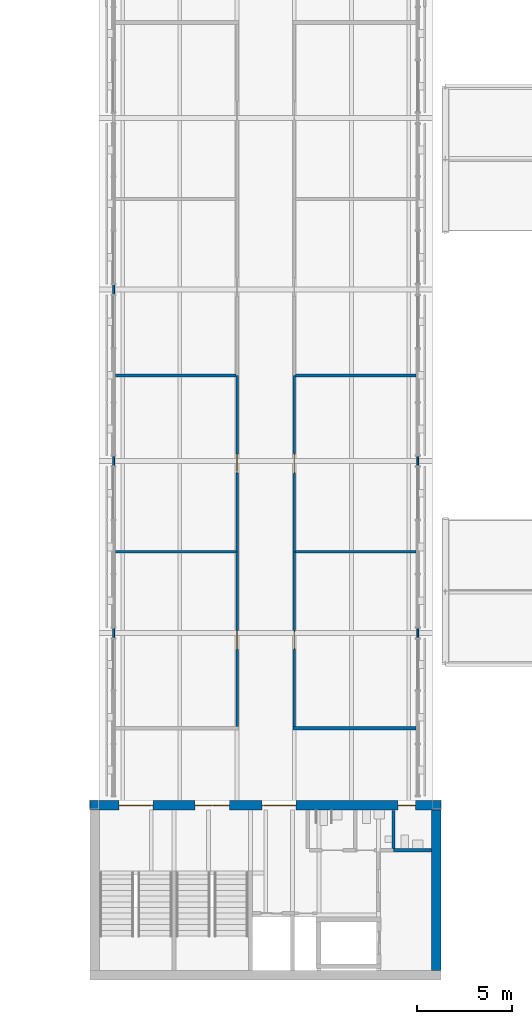
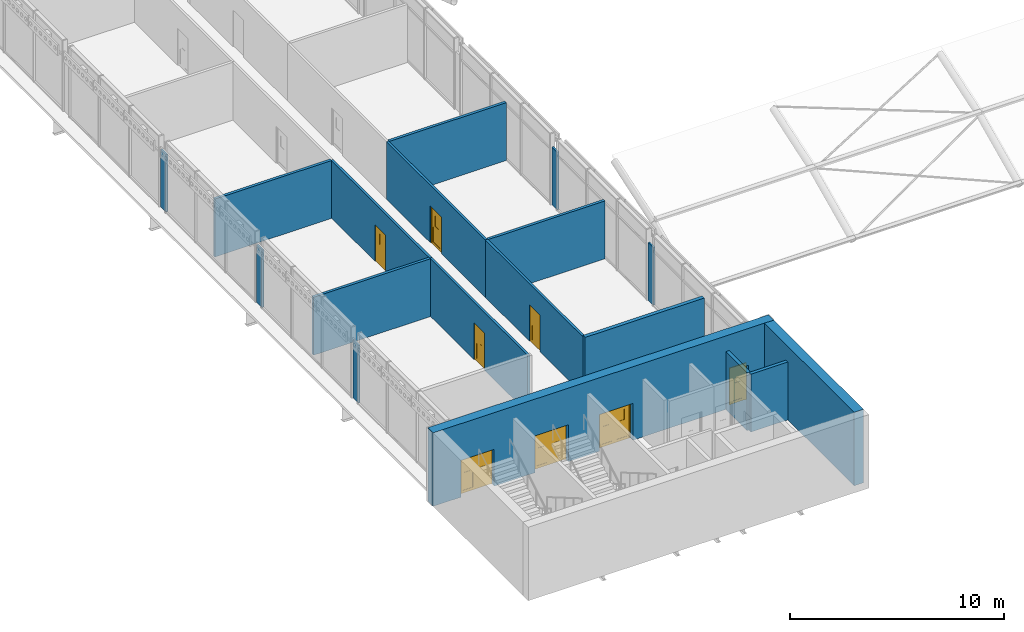
# One storey, part 23 of 54: 18 walls, 8 doors, 8 openings.
"""IFC4 building model written with IfcOpenShell, lengths in metres."""

import ifcopenshell
import ifcopenshell.guid

model = None  # the IFC model being written
_history = None  # IfcOwnerHistory: only IFC2X3 demands one
_inside = {}  # id of a spatial element -> (the spatial element, [elements in it])
_under = {}  # id of a project, library or spatial element -> (it, [spatial elements below it])
_declared = {}  # id of a project -> (the project, [libraries it declares])
_typed = {}  # id of a type object -> (the type object, [elements of that type])
_made_of = {}  # id of a material, layer set ... -> (it, [elements and type objects made of it])


def new_model(schema):
    """Start an empty IFC model of exactly this schema.

    Asked for "IFC4X3", IfcOpenShell would pick the latest addendum, in which some entities
    have other attributes; the version numbers below select the first issue.
    IFC2X3 requires an IfcOwnerHistory on every rooted entity: one is made here for all.
    """
    global model, _history
    if schema == "IFC4X3":
        model = ifcopenshell.file(schema_version=(4, 3, 0, 0))
    else:
        model = ifcopenshell.file(schema=schema)
    _inside.clear()
    _under.clear()
    _declared.clear()
    _typed.clear()
    _made_of.clear()
    _history = None
    if model.schema == "IFC2X3":
        org = make("IfcOrganization", Name="unknown")
        user = make(
            "IfcPersonAndOrganization",
            ThePerson=make("IfcPerson", FamilyName="unknown"),
            TheOrganization=org,
        )
        app = make(
            "IfcApplication",
            ApplicationDeveloper=org,
            Version="unknown",
            ApplicationFullName="unknown",
            ApplicationIdentifier="unknown",
        )
        _history = make(
            "IfcOwnerHistory",
            OwningUser=user,
            OwningApplication=app,
            ChangeAction="ADDED",
            CreationDate=0,
        )
    return model


def make(cls, **values):
    """One entity of the class cls with the attributes given. An attribute that is None is left unset."""
    return model.create_entity(
        cls, **{name: value for name, value in values.items() if value is not None}
    )


def rooted(cls, **values):
    """An entity with a GlobalId (a new one), such as an element, a storey or a relation."""
    return make(cls, GlobalId=ifcopenshell.guid.new(), OwnerHistory=_history, **values)


def si_unit(unit_type, name, prefix=None):
    """IfcSIUnit, for example si_unit("LENGTHUNIT", "METRE", prefix="MILLI")."""
    return make("IfcSIUnit", UnitType=unit_type, Prefix=prefix, Name=name)


def assignment(units):
    """IfcUnitAssignment: the units of a project."""
    return None if units is None else make("IfcUnitAssignment", Units=units)


def point(xyz):
    """IfcCartesianPoint."""
    return None if xyz is None else make("IfcCartesianPoint", Coordinates=xyz)


def direction(xyz):
    """IfcDirection."""
    return None if xyz is None else make("IfcDirection", DirectionRatios=xyz)


def frame(location, z_axis=None, x_axis=None):
    """IfcAxis2Placement3D, a coordinate frame: its origin and axes. An axis left out is left unset."""
    return make(
        "IfcAxis2Placement3D",
        Location=point(location),
        Axis=direction(z_axis),
        RefDirection=direction(x_axis),
    )


def frame_2d(location, x_axis=None):
    """IfcAxis2Placement2D, a coordinate frame in the plane: its origin and x axis."""
    return make(
        "IfcAxis2Placement2D", Location=point(location), RefDirection=direction(x_axis)
    )


def origin():
    """The frame at (0, 0, 0) with its axes left unset."""
    return frame((0.0, 0.0, 0.0))


def place(relative_to, where):
    """IfcLocalPlacement: puts the frame where relative to a parent placement (None: the world)."""
    return make(
        "IfcLocalPlacement", PlacementRelTo=relative_to, RelativePlacement=where
    )


def context(
    kind, dimensions, precision=None, world=None, true_north=None, identifier=None
):
    """IfcGeometricRepresentationContext, for example the 3D "Model" context."""
    return make(
        "IfcGeometricRepresentationContext",
        ContextIdentifier=identifier,
        ContextType=kind,
        CoordinateSpaceDimension=dimensions,
        Precision=precision,
        WorldCoordinateSystem=world,
        TrueNorth=true_north,
    )


def subcontext(parent, identifier, kind, view, scale=None):
    """IfcGeometricRepresentationSubContext, for example "Body" below "Model"."""
    return make(
        "IfcGeometricRepresentationSubContext",
        ContextIdentifier=identifier,
        ContextType=kind,
        ParentContext=parent,
        TargetScale=scale,
        TargetView=view,
    )


def project(units=None, contexts=None):
    """IfcProject with its units and contexts."""
    return rooted(
        "IfcProject",
        Name="project",
        RepresentationContexts=contexts,
        UnitsInContext=assignment(units),
    )


def spatial(cls, under=None, at=None, **own):
    """A site, building, storey or space (cls), placed at a placement, below another one or the project."""
    s = rooted(cls, ObjectPlacement=at, **own)
    if under is not None:
        _under.setdefault(under.id(), (under, []))[1].append(s)
    return s


def polyline(points):
    """IfcPolyline through the points."""
    return make("IfcPolyline", Points=[point(p) for p in points])


def profile(cls, at=None, kind="AREA", **sizes):
    """A parametric profile (cls). Its sizes go by their IFC names, for example OverallWidth=200.0."""
    return make(cls, ProfileType=kind, Position=at, **sizes)


def rectangle(**sizes):
    """IfcRectangleProfileDef."""
    return profile("IfcRectangleProfileDef", **sizes)


def outline(outer, holes=None, kind="AREA"):
    """IfcArbitraryClosedProfileDef: a profile drawn as a closed curve; with holes, ...WithVoids."""
    if holes is None:
        return make("IfcArbitraryClosedProfileDef", ProfileType=kind, OuterCurve=outer)
    return make(
        "IfcArbitraryProfileDefWithVoids",
        ProfileType=kind,
        OuterCurve=outer,
        InnerCurves=holes,
    )


def extrude(swept, where, along, depth):
    """IfcExtrudedAreaSolid: the profile swept, set in the frame where, extruded along a direction by depth."""
    return make(
        "IfcExtrudedAreaSolid",
        SweptArea=swept,
        Position=where,
        ExtrudedDirection=direction(along),
        Depth=depth,
    )


def shape(context_of_items, identifier, shape_type, items):
    """IfcShapeRepresentation: the items that make up one representation, for example the "Body"."""
    return make(
        "IfcShapeRepresentation",
        ContextOfItems=context_of_items,
        RepresentationIdentifier=identifier,
        RepresentationType=shape_type,
        Items=items,
    )


def material(Name=None, Category=None):
    """IfcMaterial."""
    return make("IfcMaterial", Name=Name, Category=Category)


def layer(
    of_material, thickness, ventilated=None, Name=None, Category=None, Priority=None
):
    """IfcMaterialLayer: one layer of a wall or slab, of a material (None: an air gap)."""
    return make(
        "IfcMaterialLayer",
        Material=of_material,
        LayerThickness=thickness,
        IsVentilated=ventilated,
        Name=Name,
        Category=Category,
        Priority=Priority,
    )


def layer_set(layers, Name=None):
    """IfcMaterialLayerSet."""
    return make("IfcMaterialLayerSet", MaterialLayers=layers, LayerSetName=Name)


def made_of(thing, what):
    """Note that an element or type object is made of a material, layer set ...; save() writes the relation."""
    if what is not None:
        _made_of.setdefault(what.id(), (what, []))[1].append(thing)
    return thing


def type_object(cls, material=None, **own):
    """A type object (cls), such as IfcWallType, which elements share."""
    return made_of(rooted(cls, **own), material)


def element(
    cls,
    number,
    at=None,
    inside=None,
    cuts=None,
    type_object=None,
    material=None,
    context=None,
    identifier="Body",
    shape_type=None,
    held_by="IfcProductDefinitionShape",
    body=None,
    shapes=None,
    **own,
):
    """One element of the class cls, such as IfcWall. Its Tag is "e" and its number.

    at: its placement. inside: the storey or other place that contains it. cuts: it is an
    opening in that element (IfcRelVoidsElement). A single representation is given by context,
    identifier, shape_type and body (its items); several are given by shapes. held_by: the class
    of the entity that holds the representations. save() writes the other relations.
    """
    e = rooted(cls, Tag="e%d" % number, ObjectPlacement=at, **own)
    if body is not None:
        shapes = [shape(context, identifier, shape_type, body)]
    if shapes is not None:
        e.Representation = make(held_by, Representations=shapes)
    if inside is not None:
        _inside.setdefault(inside.id(), (inside, []))[1].append(e)
    if cuts is not None:
        rooted(
            "IfcRelVoidsElement", RelatingBuildingElement=cuts, RelatedOpeningElement=e
        )
    if type_object is not None:
        _typed.setdefault(type_object.id(), (type_object, []))[1].append(e)
    return made_of(e, material)


def fill(opening, filler):
    """IfcRelFillsElement: the door or window that sits in an opening."""
    return rooted(
        "IfcRelFillsElement",
        RelatingOpeningElement=opening,
        RelatedBuildingElement=filler,
    )


def aggregate(whole, parts):
    """IfcRelAggregates: a whole, such as a stair, and the parts it consists of."""
    return rooted("IfcRelAggregates", RelatingObject=whole, RelatedObjects=parts)


def save(model, path):
    """Write the relations noted so far, then the file.

    IfcRelAggregates (storeys below a building ...), IfcRelContainedInSpatialStructure (elements
    in a storey), IfcRelDefinesByType, IfcRelAssociatesMaterial and IfcRelDeclares: one each for
    every whole, place, type object, material and project.
    """
    for whole, parts in _under.values():
        aggregate(whole, parts)
    for where, things in _inside.values():
        rooted(
            "IfcRelContainedInSpatialStructure",
            RelatedElements=things,
            RelatingStructure=where,
        )
    for kind, things in _typed.values():
        rooted("IfcRelDefinesByType", RelatedObjects=things, RelatingType=kind)
    for what, things in _made_of.values():
        rooted("IfcRelAssociatesMaterial", RelatedObjects=things, RelatingMaterial=what)
    for by, libraries in _declared.values():
        rooted("IfcRelDeclares", RelatingContext=by, RelatedDefinitions=libraries)
    model.write(path)


model = new_model("IFC4")

# Units and contexts
model_context = context("Model", 3, precision=1e-05, world=origin(), true_north=direction((0.0, 1.0)))
body_context = subcontext(model_context, "Body", "Model", "MODEL_VIEW")
ifc_project = project(units=[si_unit("LENGTHUNIT", "METRE"), si_unit("AREAUNIT", "SQUARE_METRE"), si_unit("VOLUMEUNIT", "CUBIC_METRE"), si_unit("PLANEANGLEUNIT", "RADIAN"), si_unit("MASSUNIT", "GRAM", prefix="KILO")], contexts=[model_context])

# Site, building, storey
site_placement = place(None, origin())
site = spatial("IfcSite", under=ifc_project, at=site_placement, CompositionType="ELEMENT")
building_placement = place(site_placement, origin())
building = spatial("IfcBuilding", under=site, at=building_placement, Name="Baradari Gate Terminus", CompositionType="ELEMENT")
storey_placement = place(building_placement, frame((0.0, 0.0, 15.89990234375)))
storey = spatial("IfcBuildingStorey", under=building, at=storey_placement, Name="L03", CompositionType="ELEMENT", Elevation=15.89990234375)

# Wall, openings, doors
ifc_material_1 = material(Name="Concrete C40/50", Category="concrete")
ifc_layer_1 = layer(ifc_material_1, 0.5)
ifc_layer_set_1 = layer_set([ifc_layer_1], Name="Concrete C40/50")
wall_type_1 = type_object("IfcWallType", Name="Abutment core wall CWL05 500", PredefinedType="SOLIDWALL", material=ifc_layer_set_1)
wall_1_placement = place(storey_placement, frame((71.800048828125, 35.949951171875, 0.0), z_axis=(0.0, 0.0, 1.0), x_axis=(1.0, 0.0, 0.0)))
wall_1 = element("IfcWall", 1, at=wall_1_placement, inside=storey, type_object=wall_type_1, Name="Abutment core wall GS N L03", PredefinedType="SOLIDWALL", context=body_context, shape_type="SweptSolid", body=[
    extrude(rectangle(XDim=18.39990234375, YDim=0.5, at=frame_2d((9.199951171875, 0.0))), origin(), (0.0, 0.0, 1.0), 4.2001953125),
])
opening_1_placement = place(wall_1_placement, frame((1.5, 0.0, 0.0)))
opening_1 = element("IfcOpeningElement", 2, at=opening_1_placement, cuts=wall_1, Name="Opening D03-035", PredefinedType="OPENING", context=body_context, shape_type="SweptSolid", body=[
    extrude(rectangle(XDim=1.800048828125, YDim=2.10009765625, at=frame_2d((0.89990234375, 1.050048828125))), frame((0.0, 0.260009765625, 0.0), z_axis=(0.0, -1.0, 0.0), x_axis=(1.0, 0.0, 0.0)), (0.0, 0.0, 1.0), 0.52001953125),
])
opening_2_placement = place(wall_1_placement, frame((5.5, 0.0, 0.0)))
opening_2 = element("IfcOpeningElement", 3, at=opening_2_placement, cuts=wall_1, Name="Opening D03-036", PredefinedType="OPENING", context=body_context, shape_type="SweptSolid", body=[
    extrude(rectangle(XDim=1.800048828125, YDim=2.10009765625, at=frame_2d((0.89990234375, 1.050048828125))), frame((0.0, 0.260009765625, 0.0), z_axis=(0.0, -1.0, 0.0), x_axis=(1.0, 0.0, 0.0)), (0.0, 0.0, 1.0), 0.52001953125),
])
opening_3_placement = place(wall_1_placement, frame((9.0, 0.0, 0.0)))
opening_3 = element("IfcOpeningElement", 4, at=opening_3_placement, cuts=wall_1, Name="Opening D03-037", PredefinedType="OPENING", context=body_context, shape_type="SweptSolid", body=[
    extrude(rectangle(XDim=1.800048828125, YDim=2.10009765625, at=frame_2d((0.89990234375, 1.050048828125))), frame((0.0, 0.260009765625, 0.0), z_axis=(0.0, -1.0, 0.0), x_axis=(1.0, 0.0, 0.0)), (0.0, 0.0, 1.0), 0.52001953125),
])
opening_4_placement = place(wall_1_placement, frame((16.14990234375, 0.0, 0.0)))
opening_4 = element("IfcOpeningElement", 5, at=opening_4_placement, cuts=wall_1, Name="Opening D03-042", PredefinedType="OPENING", context=body_context, shape_type="SweptSolid", body=[
    extrude(rectangle(XDim=0.89990234375, YDim=2.10009765625, at=frame_2d((0.449951171875, 1.050048828125))), frame((0.0, 0.260009765625, 0.0), z_axis=(0.0, -1.0, 0.0), x_axis=(1.0, 0.0, 0.0)), (0.0, 0.0, 1.0), 0.52001953125),
])
ifc_material_2 = material(Name="Steel S275", Category="steel")
door_type_1 = type_object("IfcDoorType", Name="Fire door FI-1800-FD90S 1800x2100 FD90S", OperationType="DOUBLE_DOOR_SINGLE_SWING", PredefinedType="DOOR", material=ifc_material_2)
door_1_placement = place(opening_1_placement, frame((1.800048828125, 0.0, 0.0), z_axis=(0.0, 0.0, 1.0), x_axis=(-1.0, 0.0, 0.0)))
door_1 = element("IfcDoor", 6, at=door_1_placement, inside=storey, type_object=door_type_1, Name="Door Stair (Gate South) 1", OperationType="DOUBLE_DOOR_SINGLE_SWING", OverallHeight=2.1, OverallWidth=1.8, PredefinedType="DOOR", context=body_context, shape_type="SweptSolid", body=[
    extrude(outline(polyline([(0.0, 0.0), (0.070068359375, 0.0), (0.070068359375, 2.030029296875), (1.72998046875, 2.030029296875), (1.72998046875, 0.0), (1.800048828125, 0.0), (1.800048828125, 2.10009765625), (0.0, 2.10009765625), (0.0, 0.0)])), frame((0.0, 0.02490234375, 0.0), z_axis=(0.0, -1.0, 0.0), x_axis=(1.0, 0.0, 0.0)), (0.0, 0.0, 1.0), 0.050048828125),
    extrude(outline(polyline([(0.073974609375, 0.010009765625), (0.89697265625, 0.010009765625), (0.89697265625, 2.026123046875), (0.073974609375, 2.026123046875), (0.073974609375, 0.010009765625)]), holes=[polyline([(0.194091796875, 0.159912109375), (0.77685546875, 0.159912109375), (0.77685546875, 1.010009765625), (0.194091796875, 1.010009765625), (0.194091796875, 0.159912109375)]), polyline([(0.33544921875, 1.159912109375), (0.635498046875, 1.159912109375), (0.635498046875, 1.760009765625), (0.33544921875, 1.760009765625), (0.33544921875, 1.159912109375)])]), frame((0.0, 0.017333984375, 0.0), z_axis=(0.0, -1.0, 0.0), x_axis=(1.0, 0.0, 0.0)), (0.0, 0.0, 1.0), 0.034912109375),
    extrude(rectangle(XDim=0.582763671875, YDim=0.85009765625, at=frame_2d((0.4853515625, 0.5849609375))), frame((0.0, 0.008544921875, 0.0), z_axis=(0.0, -1.0, 0.0), x_axis=(1.0, 0.0, 0.0)), (0.0, 0.0, 1.0), 0.017333984375),
    extrude(rectangle(XDim=0.300048828125, YDim=0.60009765625, at=frame_2d((0.4853515625, 1.4599609375))), frame((0.0, 0.005859375, 0.0), z_axis=(0.0, -1.0, 0.0), x_axis=(1.0, 0.0, 0.0)), (0.0, 0.0, 1.0), 0.011962890625),
    extrude(outline(polyline([(0.903076171875, 0.010009765625), (1.72607421875, 0.010009765625), (1.72607421875, 2.026123046875), (0.903076171875, 2.026123046875), (0.903076171875, 0.010009765625)]), holes=[polyline([(1.023193359375, 0.159912109375), (1.60595703125, 0.159912109375), (1.60595703125, 1.010009765625), (1.023193359375, 1.010009765625), (1.023193359375, 0.159912109375)]), polyline([(1.16455078125, 1.159912109375), (1.464599609375, 1.159912109375), (1.464599609375, 1.760009765625), (1.16455078125, 1.760009765625), (1.16455078125, 1.159912109375)])]), frame((0.0, 0.017333984375, 0.0), z_axis=(0.0, -1.0, 0.0), x_axis=(1.0, 0.0, 0.0)), (0.0, 0.0, 1.0), 0.034912109375),
    extrude(rectangle(XDim=0.582763671875, YDim=0.85009765625, at=frame_2d((1.314453125, 0.5849609375))), frame((0.0, 0.008544921875, 0.0), z_axis=(0.0, -1.0, 0.0), x_axis=(1.0, 0.0, 0.0)), (0.0, 0.0, 1.0), 0.017333984375),
    extrude(rectangle(XDim=0.300048828125, YDim=0.60009765625, at=frame_2d((1.314453125, 1.4599609375))), frame((0.0, 0.005859375, 0.0), z_axis=(0.0, -1.0, 0.0), x_axis=(1.0, 0.0, 0.0)), (0.0, 0.0, 1.0), 0.011962890625),
])
fill(opening_1, door_1)
door_2_placement = place(opening_2_placement, frame((1.800048828125, 0.0, 0.0), z_axis=(0.0, 0.0, 1.0), x_axis=(-1.0, 0.0, 0.0)))
door_2 = element("IfcDoor", 7, at=door_2_placement, inside=storey, type_object=door_type_1, Name="Door Stair (Gate South) 2", OperationType="DOUBLE_DOOR_SINGLE_SWING", OverallHeight=2.1, OverallWidth=1.8, PredefinedType="DOOR", context=body_context, shape_type="SweptSolid", body=[
    extrude(outline(polyline([(0.0, 0.0), (0.070068359375, 0.0), (0.070068359375, 2.030029296875), (1.72998046875, 2.030029296875), (1.72998046875, 0.0), (1.800048828125, 0.0), (1.800048828125, 2.10009765625), (0.0, 2.10009765625), (0.0, 0.0)])), frame((0.0, 0.02490234375, 0.0), z_axis=(0.0, -1.0, 0.0), x_axis=(1.0, 0.0, 0.0)), (0.0, 0.0, 1.0), 0.050048828125),
    extrude(outline(polyline([(0.073974609375, 0.010009765625), (0.89697265625, 0.010009765625), (0.89697265625, 2.026123046875), (0.073974609375, 2.026123046875), (0.073974609375, 0.010009765625)]), holes=[polyline([(0.194091796875, 0.159912109375), (0.77685546875, 0.159912109375), (0.77685546875, 1.010009765625), (0.194091796875, 1.010009765625), (0.194091796875, 0.159912109375)]), polyline([(0.33544921875, 1.159912109375), (0.635498046875, 1.159912109375), (0.635498046875, 1.760009765625), (0.33544921875, 1.760009765625), (0.33544921875, 1.159912109375)])]), frame((0.0, 0.017333984375, 0.0), z_axis=(0.0, -1.0, 0.0), x_axis=(1.0, 0.0, 0.0)), (0.0, 0.0, 1.0), 0.034912109375),
    extrude(rectangle(XDim=0.582763671875, YDim=0.85009765625, at=frame_2d((0.4853515625, 0.5849609375))), frame((0.0, 0.008544921875, 0.0), z_axis=(0.0, -1.0, 0.0), x_axis=(1.0, 0.0, 0.0)), (0.0, 0.0, 1.0), 0.017333984375),
    extrude(rectangle(XDim=0.300048828125, YDim=0.60009765625, at=frame_2d((0.4853515625, 1.4599609375))), frame((0.0, 0.005859375, 0.0), z_axis=(0.0, -1.0, 0.0), x_axis=(1.0, 0.0, 0.0)), (0.0, 0.0, 1.0), 0.011962890625),
    extrude(outline(polyline([(0.903076171875, 0.010009765625), (1.72607421875, 0.010009765625), (1.72607421875, 2.026123046875), (0.903076171875, 2.026123046875), (0.903076171875, 0.010009765625)]), holes=[polyline([(1.023193359375, 0.159912109375), (1.60595703125, 0.159912109375), (1.60595703125, 1.010009765625), (1.023193359375, 1.010009765625), (1.023193359375, 0.159912109375)]), polyline([(1.16455078125, 1.159912109375), (1.464599609375, 1.159912109375), (1.464599609375, 1.760009765625), (1.16455078125, 1.760009765625), (1.16455078125, 1.159912109375)])]), frame((0.0, 0.017333984375, 0.0), z_axis=(0.0, -1.0, 0.0), x_axis=(1.0, 0.0, 0.0)), (0.0, 0.0, 1.0), 0.034912109375),
    extrude(rectangle(XDim=0.582763671875, YDim=0.85009765625, at=frame_2d((1.314453125, 0.5849609375))), frame((0.0, 0.008544921875, 0.0), z_axis=(0.0, -1.0, 0.0), x_axis=(1.0, 0.0, 0.0)), (0.0, 0.0, 1.0), 0.017333984375),
    extrude(rectangle(XDim=0.300048828125, YDim=0.60009765625, at=frame_2d((1.314453125, 1.4599609375))), frame((0.0, 0.005859375, 0.0), z_axis=(0.0, -1.0, 0.0), x_axis=(1.0, 0.0, 0.0)), (0.0, 0.0, 1.0), 0.011962890625),
])
fill(opening_2, door_2)
door_3_placement = place(opening_3_placement, frame((1.800048828125, 0.0, 0.0), z_axis=(0.0, 0.0, 1.0), x_axis=(-1.0, 0.0, 0.0)))
door_3 = element("IfcDoor", 8, at=door_3_placement, inside=storey, type_object=door_type_1, Name="Door Lift Lobby", OperationType="DOUBLE_DOOR_SINGLE_SWING", OverallHeight=2.1, OverallWidth=1.8, PredefinedType="DOOR", context=body_context, shape_type="SweptSolid", body=[
    extrude(outline(polyline([(0.0, 0.0), (0.070068359375, 0.0), (0.070068359375, 2.030029296875), (1.72998046875, 2.030029296875), (1.72998046875, 0.0), (1.800048828125, 0.0), (1.800048828125, 2.10009765625), (0.0, 2.10009765625), (0.0, 0.0)])), frame((0.0, 0.02490234375, 0.0), z_axis=(0.0, -1.0, 0.0), x_axis=(1.0, 0.0, 0.0)), (0.0, 0.0, 1.0), 0.050048828125),
    extrude(outline(polyline([(0.073974609375, 0.010009765625), (0.89697265625, 0.010009765625), (0.89697265625, 2.026123046875), (0.073974609375, 2.026123046875), (0.073974609375, 0.010009765625)]), holes=[polyline([(0.194091796875, 0.159912109375), (0.77685546875, 0.159912109375), (0.77685546875, 1.010009765625), (0.194091796875, 1.010009765625), (0.194091796875, 0.159912109375)]), polyline([(0.33544921875, 1.159912109375), (0.635498046875, 1.159912109375), (0.635498046875, 1.760009765625), (0.33544921875, 1.760009765625), (0.33544921875, 1.159912109375)])]), frame((0.0, 0.017333984375, 0.0), z_axis=(0.0, -1.0, 0.0), x_axis=(1.0, 0.0, 0.0)), (0.0, 0.0, 1.0), 0.034912109375),
    extrude(rectangle(XDim=0.582763671875, YDim=0.85009765625, at=frame_2d((0.4853515625, 0.5849609375))), frame((0.0, 0.008544921875, 0.0), z_axis=(0.0, -1.0, 0.0), x_axis=(1.0, 0.0, 0.0)), (0.0, 0.0, 1.0), 0.017333984375),
    extrude(rectangle(XDim=0.300048828125, YDim=0.60009765625, at=frame_2d((0.4853515625, 1.4599609375))), frame((0.0, 0.005859375, 0.0), z_axis=(0.0, -1.0, 0.0), x_axis=(1.0, 0.0, 0.0)), (0.0, 0.0, 1.0), 0.011962890625),
    extrude(outline(polyline([(0.903076171875, 0.010009765625), (1.72607421875, 0.010009765625), (1.72607421875, 2.026123046875), (0.903076171875, 2.026123046875), (0.903076171875, 0.010009765625)]), holes=[polyline([(1.023193359375, 0.159912109375), (1.60595703125, 0.159912109375), (1.60595703125, 1.010009765625), (1.023193359375, 1.010009765625), (1.023193359375, 0.159912109375)]), polyline([(1.16455078125, 1.159912109375), (1.464599609375, 1.159912109375), (1.464599609375, 1.760009765625), (1.16455078125, 1.760009765625), (1.16455078125, 1.159912109375)])]), frame((0.0, 0.017333984375, 0.0), z_axis=(0.0, -1.0, 0.0), x_axis=(1.0, 0.0, 0.0)), (0.0, 0.0, 1.0), 0.034912109375),
    extrude(rectangle(XDim=0.582763671875, YDim=0.85009765625, at=frame_2d((1.314453125, 0.5849609375))), frame((0.0, 0.008544921875, 0.0), z_axis=(0.0, -1.0, 0.0), x_axis=(1.0, 0.0, 0.0)), (0.0, 0.0, 1.0), 0.017333984375),
    extrude(rectangle(XDim=0.300048828125, YDim=0.60009765625, at=frame_2d((1.314453125, 1.4599609375))), frame((0.0, 0.005859375, 0.0), z_axis=(0.0, -1.0, 0.0), x_axis=(1.0, 0.0, 0.0)), (0.0, 0.0, 1.0), 0.011962890625),
])
fill(opening_3, door_3)
ifc_material_3 = material(Name="Steel S275", Category="steel")
door_type_2 = type_object("IfcDoorType", Name="Fire door FI-900-FD90S 900x2100 FD90S", OperationType="SINGLE_SWING_LEFT", PredefinedType="DOOR", material=ifc_material_3)
door_4_placement = place(opening_4_placement, frame((0.89990234375, 0.0, 0.0), z_axis=(0.0, 0.0, 1.0), x_axis=(-1.0, 0.0, 0.0)))
door_4 = element("IfcDoor", 9, at=door_4_placement, inside=storey, type_object=door_type_2, Name="Door Female WC", OperationType="SINGLE_SWING_RIGHT", OverallHeight=2.1, OverallWidth=0.9, PredefinedType="DOOR", context=body_context, shape_type="SweptSolid", body=[
    extrude(outline(polyline([(0.0, 0.0), (0.070068359375, 0.0), (0.070068359375, 2.030029296875), (0.829833984375, 2.030029296875), (0.829833984375, 0.0), (0.89990234375, 0.0), (0.89990234375, 2.10009765625), (0.0, 2.10009765625), (0.0, 0.0)])), frame((0.0, 0.02490234375, 0.0), z_axis=(0.0, -1.0, 0.0), x_axis=(1.0, 0.0, 0.0)), (0.0, 0.0, 1.0), 0.050048828125),
    extrude(outline(polyline([(0.073974609375, 0.010009765625), (0.825927734375, 0.010009765625), (0.825927734375, 2.026123046875), (0.073974609375, 2.026123046875), (0.073974609375, 0.010009765625)]), holes=[polyline([(0.194091796875, 0.159912109375), (0.705810546875, 0.159912109375), (0.705810546875, 1.010009765625), (0.194091796875, 1.010009765625), (0.194091796875, 0.159912109375)]), polyline([(0.300048828125, 1.159912109375), (0.599853515625, 1.159912109375), (0.599853515625, 1.760009765625), (0.300048828125, 1.760009765625), (0.300048828125, 1.159912109375)])]), frame((0.0, 0.017333984375, 0.0), z_axis=(0.0, -1.0, 0.0), x_axis=(1.0, 0.0, 0.0)), (0.0, 0.0, 1.0), 0.034912109375),
    extrude(rectangle(XDim=0.51171875, YDim=0.85009765625, at=frame_2d((0.449951171875, 0.5849609375))), frame((0.0, 0.008544921875, 0.0), z_axis=(0.0, -1.0, 0.0), x_axis=(1.0, 0.0, 0.0)), (0.0, 0.0, 1.0), 0.017333984375),
    extrude(rectangle(XDim=0.2998046875, YDim=0.60009765625, at=frame_2d((0.449951171875, 1.4599609375))), frame((0.0, 0.005859375, 0.0), z_axis=(0.0, -1.0, 0.0), x_axis=(1.0, 0.0, 0.0)), (0.0, 0.0, 1.0), 0.011962890625),
])
fill(opening_4, door_4)

# Wall
wall_2_placement = place(storey_placement, frame((89.949951171875, 27.300048828125, 0.0), z_axis=(0.0, 0.0, 1.0), x_axis=(0.0, 1.0, 0.0)))
element("IfcWall", 10, at=wall_2_placement, inside=storey, type_object=wall_type_1, Name="Abutment core wall GS E L03", PredefinedType="SOLIDWALL", context=body_context, shape_type="SweptSolid", body=[
    extrude(rectangle(XDim=8.39990234375, YDim=0.5, at=frame_2d((4.199951171875, 0.0))), origin(), (0.0, 0.0, 1.0), 4.2001953125),
])

# Wall, opening, door
ifc_material_4 = material(Name="Gypsum board")
ifc_layer_2 = layer(ifc_material_4, 0.125)
ifc_layer_set_2 = layer_set([ifc_layer_2], Name="Gypsum board")
wall_type_2 = type_object("IfcWallType", Name="Corridor partition PT-5 125 EI 30", PredefinedType="PARTITIONING", material=ifc_layer_set_2)
wall_3_placement = place(storey_placement, frame((79.5, 40.10009765625, 0.0), z_axis=(0.0, 0.0, 1.0), x_axis=(0.0, 1.0, 0.0)))
wall_3 = element("IfcWall", 11, at=wall_3_placement, inside=storey, type_object=wall_type_2, Name="PT-5 partition Corridor (Gate Spine) / Gate Office 3.01", PredefinedType="PARTITIONING", context=body_context, shape_type="SweptSolid", body=[
    extrude(rectangle(XDim=9.14990234375, YDim=0.125, at=frame_2d((4.574951171875, 0.0))), origin(), (0.0, 0.0, 1.0), 3.287109375),
])
opening_5_placement = place(wall_3_placement, frame((4.02490234375, 0.0, 0.0)))
opening_5 = element("IfcOpeningElement", 12, at=opening_5_placement, cuts=wall_3, Name="Opening D03-043", PredefinedType="OPENING", context=body_context, shape_type="SweptSolid", body=[
    extrude(rectangle(XDim=1.0, YDim=2.10009765625, at=frame_2d((0.5, 1.050048828125))), frame((0.0, 0.072509765625, 0.0), z_axis=(0.0, -1.0, 0.0), x_axis=(1.0, 0.0, 0.0)), (0.0, 0.0, 1.0), 0.14501953125),
])
ifc_material_5 = material(Name="Steel S275", Category="steel")
door_type_3 = type_object("IfcDoorType", Name="Fire door FI-1000-FD30S 1000x2100 FD30S", OperationType="SINGLE_SWING_LEFT", PredefinedType="DOOR", material=ifc_material_5)
door_5_placement = place(opening_5_placement, origin())
door_5 = element("IfcDoor", 13, at=door_5_placement, inside=storey, type_object=door_type_3, Name="Door Gate Office 3.01", OperationType="SINGLE_SWING_LEFT", OverallHeight=2.1, OverallWidth=1.0, PredefinedType="DOOR", context=body_context, shape_type="SweptSolid", body=[
    extrude(outline(polyline([(0.0, 0.0), (0.070068359375, 0.0), (0.070068359375, 2.030029296875), (0.929931640625, 2.030029296875), (0.929931640625, 0.0), (1.0, 0.0), (1.0, 2.10009765625), (0.0, 2.10009765625), (0.0, 0.0)])), frame((0.0, 0.02490234375, 0.0), z_axis=(0.0, -1.0, 0.0), x_axis=(1.0, 0.0, 0.0)), (0.0, 0.0, 1.0), 0.050048828125),
    extrude(outline(polyline([(0.073974609375, 0.010009765625), (0.926025390625, 0.010009765625), (0.926025390625, 2.026123046875), (0.073974609375, 2.026123046875), (0.073974609375, 0.010009765625)]), holes=[polyline([(0.194091796875, 0.159912109375), (0.805908203125, 0.159912109375), (0.805908203125, 1.010009765625), (0.194091796875, 1.010009765625), (0.194091796875, 0.159912109375)]), polyline([(0.35009765625, 1.159912109375), (0.64990234375, 1.159912109375), (0.64990234375, 1.760009765625), (0.35009765625, 1.760009765625), (0.35009765625, 1.159912109375)])]), frame((0.0, 0.017333984375, 0.0), z_axis=(0.0, -1.0, 0.0), x_axis=(1.0, 0.0, 0.0)), (0.0, 0.0, 1.0), 0.034912109375),
    extrude(rectangle(XDim=0.61181640625, YDim=0.85009765625, at=frame_2d((0.5, 0.5849609375))), frame((0.0, 0.008544921875, 0.0), z_axis=(0.0, -1.0, 0.0), x_axis=(1.0, 0.0, 0.0)), (0.0, 0.0, 1.0), 0.017333984375),
    extrude(rectangle(XDim=0.2998046875, YDim=0.60009765625, at=frame_2d((0.5, 1.4599609375))), frame((0.0, 0.005859375, 0.0), z_axis=(0.0, -1.0, 0.0), x_axis=(1.0, 0.0, 0.0)), (0.0, 0.0, 1.0), 0.011962890625),
])
fill(opening_5, door_5)

wall_4_placement = place(storey_placement, frame((79.5, 49.25, 0.0), z_axis=(0.0, 0.0, 1.0), x_axis=(0.0, 1.0, 0.0)))
wall_4 = element("IfcWall", 14, at=wall_4_placement, inside=storey, type_object=wall_type_2, Name="PT-5 partition Corridor (Gate Spine) / Gate Office 3.02", PredefinedType="PARTITIONING", context=body_context, shape_type="SweptSolid", body=[
    extrude(rectangle(XDim=9.25, YDim=0.125, at=frame_2d((4.625, 0.0))), origin(), (0.0, 0.0, 1.0), 3.287109375),
])
opening_6_placement = place(wall_4_placement, frame((4.125, 0.0, 0.0)))
opening_6 = element("IfcOpeningElement", 15, at=opening_6_placement, cuts=wall_4, Name="Opening D03-044", PredefinedType="OPENING", context=body_context, shape_type="SweptSolid", body=[
    extrude(rectangle(XDim=1.0, YDim=2.10009765625, at=frame_2d((0.5, 1.050048828125))), frame((0.0, 0.072509765625, 0.0), z_axis=(0.0, -1.0, 0.0), x_axis=(1.0, 0.0, 0.0)), (0.0, 0.0, 1.0), 0.14501953125),
])
door_6_placement = place(opening_6_placement, origin())
door_6 = element("IfcDoor", 16, at=door_6_placement, inside=storey, type_object=door_type_3, Name="Door Gate Office 3.02", OperationType="SINGLE_SWING_LEFT", OverallHeight=2.1, OverallWidth=1.0, PredefinedType="DOOR", context=body_context, shape_type="SweptSolid", body=[
    extrude(outline(polyline([(0.0, 0.0), (0.070068359375, 0.0), (0.070068359375, 2.030029296875), (0.929931640625, 2.030029296875), (0.929931640625, 0.0), (1.0, 0.0), (1.0, 2.10009765625), (0.0, 2.10009765625), (0.0, 0.0)])), frame((0.0, 0.02490234375, 0.0), z_axis=(0.0, -1.0, 0.0), x_axis=(1.0, 0.0, 0.0)), (0.0, 0.0, 1.0), 0.050048828125),
    extrude(outline(polyline([(0.073974609375, 0.010009765625), (0.926025390625, 0.010009765625), (0.926025390625, 2.026123046875), (0.073974609375, 2.026123046875), (0.073974609375, 0.010009765625)]), holes=[polyline([(0.194091796875, 0.159912109375), (0.805908203125, 0.159912109375), (0.805908203125, 1.010009765625), (0.194091796875, 1.010009765625), (0.194091796875, 0.159912109375)]), polyline([(0.35009765625, 1.159912109375), (0.64990234375, 1.159912109375), (0.64990234375, 1.760009765625), (0.35009765625, 1.760009765625), (0.35009765625, 1.159912109375)])]), frame((0.0, 0.017333984375, 0.0), z_axis=(0.0, -1.0, 0.0), x_axis=(1.0, 0.0, 0.0)), (0.0, 0.0, 1.0), 0.034912109375),
    extrude(rectangle(XDim=0.61181640625, YDim=0.85009765625, at=frame_2d((0.5, 0.5849609375))), frame((0.0, 0.008544921875, 0.0), z_axis=(0.0, -1.0, 0.0), x_axis=(1.0, 0.0, 0.0)), (0.0, 0.0, 1.0), 0.017333984375),
    extrude(rectangle(XDim=0.2998046875, YDim=0.60009765625, at=frame_2d((0.5, 1.4599609375))), frame((0.0, 0.005859375, 0.0), z_axis=(0.0, -1.0, 0.0), x_axis=(1.0, 0.0, 0.0)), (0.0, 0.0, 1.0), 0.011962890625),
])
fill(opening_6, door_6)

wall_5_placement = place(storey_placement, frame((82.5, 49.25, 0.0), z_axis=(0.0, 0.0, 1.0), x_axis=(0.0, -1.0, 0.0)))
wall_5 = element("IfcWall", 17, at=wall_5_placement, inside=storey, type_object=wall_type_2, Name="PT-5 partition Corridor (Gate Spine) / Gate Office 3.05", PredefinedType="PARTITIONING", context=body_context, shape_type="SweptSolid", body=[
    extrude(rectangle(XDim=9.14990234375, YDim=0.125, at=frame_2d((4.574951171875, 0.0))), origin(), (0.0, 0.0, 1.0), 3.287109375),
])
opening_7_placement = place(wall_5_placement, frame((4.125, 0.0, 0.0)))
opening_7 = element("IfcOpeningElement", 18, at=opening_7_placement, cuts=wall_5, Name="Opening D03-047", PredefinedType="OPENING", context=body_context, shape_type="SweptSolid", body=[
    extrude(rectangle(XDim=1.0, YDim=2.10009765625, at=frame_2d((0.5, 1.050048828125))), frame((0.0, 0.072509765625, 0.0), z_axis=(0.0, -1.0, 0.0), x_axis=(1.0, 0.0, 0.0)), (0.0, 0.0, 1.0), 0.14501953125),
])
door_7_placement = place(opening_7_placement, origin())
door_7 = element("IfcDoor", 19, at=door_7_placement, inside=storey, type_object=door_type_3, Name="Door Gate Office 3.05", OperationType="SINGLE_SWING_LEFT", OverallHeight=2.1, OverallWidth=1.0, PredefinedType="DOOR", context=body_context, shape_type="SweptSolid", body=[
    extrude(outline(polyline([(0.0, 0.0), (0.070068359375, 0.0), (0.070068359375, 2.030029296875), (0.929931640625, 2.030029296875), (0.929931640625, 0.0), (1.0, 0.0), (1.0, 2.10009765625), (0.0, 2.10009765625), (0.0, 0.0)])), frame((0.0, 0.02490234375, 0.0), z_axis=(0.0, -1.0, 0.0), x_axis=(1.0, 0.0, 0.0)), (0.0, 0.0, 1.0), 0.050048828125),
    extrude(outline(polyline([(0.073974609375, 0.010009765625), (0.926025390625, 0.010009765625), (0.926025390625, 2.026123046875), (0.073974609375, 2.026123046875), (0.073974609375, 0.010009765625)]), holes=[polyline([(0.194091796875, 0.159912109375), (0.805908203125, 0.159912109375), (0.805908203125, 1.010009765625), (0.194091796875, 1.010009765625), (0.194091796875, 0.159912109375)]), polyline([(0.35009765625, 1.159912109375), (0.64990234375, 1.159912109375), (0.64990234375, 1.760009765625), (0.35009765625, 1.760009765625), (0.35009765625, 1.159912109375)])]), frame((0.0, 0.017333984375, 0.0), z_axis=(0.0, -1.0, 0.0), x_axis=(1.0, 0.0, 0.0)), (0.0, 0.0, 1.0), 0.034912109375),
    extrude(rectangle(XDim=0.61181640625, YDim=0.85009765625, at=frame_2d((0.5, 0.5849609375))), frame((0.0, 0.008544921875, 0.0), z_axis=(0.0, -1.0, 0.0), x_axis=(1.0, 0.0, 0.0)), (0.0, 0.0, 1.0), 0.017333984375),
    extrude(rectangle(XDim=0.2998046875, YDim=0.60009765625, at=frame_2d((0.5, 1.4599609375))), frame((0.0, 0.005859375, 0.0), z_axis=(0.0, -1.0, 0.0), x_axis=(1.0, 0.0, 0.0)), (0.0, 0.0, 1.0), 0.011962890625),
])
fill(opening_7, door_7)

wall_6_placement = place(storey_placement, frame((82.5, 58.5, 0.0), z_axis=(0.0, 0.0, 1.0), x_axis=(0.0, -1.0, 0.0)))
wall_6 = element("IfcWall", 20, at=wall_6_placement, inside=storey, type_object=wall_type_2, Name="PT-5 partition Corridor (Gate Spine) / Gate Meeting Room 3", PredefinedType="PARTITIONING", context=body_context, shape_type="SweptSolid", body=[
    extrude(rectangle(XDim=9.25, YDim=0.125, at=frame_2d((4.625, 0.0))), origin(), (0.0, 0.0, 1.0), 3.287109375),
])
opening_8_placement = place(wall_6_placement, frame((4.10009765625, 0.0, 0.0)))
opening_8 = element("IfcOpeningElement", 21, at=opening_8_placement, cuts=wall_6, Name="Opening D03-048", PredefinedType="OPENING", context=body_context, shape_type="SweptSolid", body=[
    extrude(rectangle(XDim=1.050048828125, YDim=2.10009765625, at=frame_2d((0.52490234375, 1.050048828125))), frame((0.0, 0.072509765625, 0.0), z_axis=(0.0, -1.0, 0.0), x_axis=(1.0, 0.0, 0.0)), (0.0, 0.0, 1.0), 0.14501953125),
])
ifc_material_6 = material(Name="Steel S275", Category="steel")
door_type_4 = type_object("IfcDoorType", Name="Fire door FI-1050-FD30S 1050x2100 FD30S", OperationType="SINGLE_SWING_LEFT", PredefinedType="DOOR", material=ifc_material_6)
door_8_placement = place(opening_8_placement, origin())
door_8 = element("IfcDoor", 22, at=door_8_placement, inside=storey, type_object=door_type_4, Name="Door Gate Meeting Room 3", OperationType="SINGLE_SWING_LEFT", OverallHeight=2.1, OverallWidth=1.05, PredefinedType="DOOR", context=body_context, shape_type="SweptSolid", body=[
    extrude(outline(polyline([(0.0, 0.0), (0.070068359375, 0.0), (0.070068359375, 2.030029296875), (0.97998046875, 2.030029296875), (0.97998046875, 0.0), (1.050048828125, 0.0), (1.050048828125, 2.10009765625), (0.0, 2.10009765625), (0.0, 0.0)])), frame((0.0, 0.02490234375, 0.0), z_axis=(0.0, -1.0, 0.0), x_axis=(1.0, 0.0, 0.0)), (0.0, 0.0, 1.0), 0.050048828125),
    extrude(outline(polyline([(0.073974609375, 0.010009765625), (0.97607421875, 0.010009765625), (0.97607421875, 2.026123046875), (0.073974609375, 2.026123046875), (0.073974609375, 0.010009765625)]), holes=[polyline([(0.194091796875, 0.159912109375), (0.85595703125, 0.159912109375), (0.85595703125, 1.010009765625), (0.194091796875, 1.010009765625), (0.194091796875, 0.159912109375)]), polyline([(0.375, 1.159912109375), (0.675048828125, 1.159912109375), (0.675048828125, 1.760009765625), (0.375, 1.760009765625), (0.375, 1.159912109375)])]), frame((0.0, 0.017333984375, 0.0), z_axis=(0.0, -1.0, 0.0), x_axis=(1.0, 0.0, 0.0)), (0.0, 0.0, 1.0), 0.034912109375),
    extrude(rectangle(XDim=0.661865234375, YDim=0.85009765625, at=frame_2d((0.52490234375, 0.5849609375))), frame((0.0, 0.008544921875, 0.0), z_axis=(0.0, -1.0, 0.0), x_axis=(1.0, 0.0, 0.0)), (0.0, 0.0, 1.0), 0.017333984375),
    extrude(rectangle(XDim=0.300048828125, YDim=0.60009765625, at=frame_2d((0.52490234375, 1.4599609375))), frame((0.0, 0.005859375, 0.0), z_axis=(0.0, -1.0, 0.0), x_axis=(1.0, 0.0, 0.0)), (0.0, 0.0, 1.0), 0.011962890625),
])
fill(opening_8, door_8)

# Walls
ifc_material_7 = material(Name="Blockwork wall, plastered, fire rated", Category="masonry")
ifc_layer_3 = layer(ifc_material_7, 0.199951171875)
ifc_layer_set_3 = layer_set([ifc_layer_3], Name="Blockwork wall, plastered, fire rated")
wall_type_3 = type_object("IfcWallType", Name="Lobby partition PT-4 200 EI 60", PredefinedType="PARTITIONING", material=ifc_layer_set_3)
wall_7_placement = place(storey_placement, frame((82.4375, 40.0, 0.0), z_axis=(0.0, 0.0, 1.0), x_axis=(1.0, 0.0, 0.0)))
element("IfcWall", 23, at=wall_7_placement, inside=storey, type_object=wall_type_3, Name="PT-4 partition Lobby (Gate South) / Gate Office 3.05", PredefinedType="PARTITIONING", context=body_context, shape_type="SweptSolid", body=[
    extrude(rectangle(XDim=6.4375, YDim=0.199951171875, at=frame_2d((3.21875, 0.0))), origin(), (0.0, 0.0, 1.0), 3.382080078125),
])
ifc_material_8 = material(Name="Blockwork wall, plastered", Category="masonry")
ifc_layer_4 = layer(ifc_material_8, 0.14990234375)
ifc_layer_set_4 = layer_set([ifc_layer_4], Name="Blockwork wall, plastered")
wall_type_4 = type_object("IfcWallType", Name="Partition PT-2 150 EI 60", PredefinedType="PARTITIONING", material=ifc_layer_set_4)
for number, where, z_axis, x_axis, name in (
    (24, (73.125, 49.25, 0.0), (0.0, 0.0, 1.0), (1.0, 0.0, 0.0), "PT-2 partition Gate Office 3.01 / Gate Office 3.02"),
    (25, (73.125, 58.5, 0.0), (0.0, 0.0, 1.0), (1.0, 0.0, 0.0), "PT-2 partition Gate Office 3.02 / Gate Office 3.03"),
    (26, (82.5625, 49.25, 0.0), (0.0, 0.0, 1.0), (1.0, 0.0, 0.0), "PT-2 partition Gate Office 3.05 / Gate Meeting Room 3"),
    (27, (82.5625, 58.5, 0.0), (0.0, 0.0, 1.0), (1.0, 0.0, 0.0), "PT-2 partition Gate Meeting Room 3 / Gate Office 3.07"),
):
    element("IfcWall", number, at=place(storey_placement, frame(where, z_axis=z_axis, x_axis=x_axis)), inside=storey, type_object=wall_type_4, Name=name, PredefinedType="PARTITIONING", context=body_context, shape_type="SweptSolid", body=[
        extrude(rectangle(XDim=6.3125, YDim=0.14990234375, at=frame_2d((3.15625, 0.0))), origin(), (0.0, 0.0, 1.0), 3.30712890625),
    ])
ifc_material_9 = material(Name="Concrete C40/50 precast", Category="concrete")
ifc_layer_5 = layer(ifc_material_9, 0.06)
ifc_material_10 = material(Name="Reconstituted stone", Category="masonry")
ifc_layer_6 = layer(ifc_material_10, 0.04)
ifc_layer_set_5 = layer_set([ifc_layer_5, ifc_layer_6], Name="Concrete C40/50 precast")
wall_type_5 = type_object("IfcWallType", Name="Precast cover panel WP-3 100", PredefinedType="SOLIDWALL", material=ifc_layer_set_5)
for number, where, z_axis, x_axis, name in (
    (28, (73.02490234375, 44.75, 0.0), (0.0, 0.0, 1.0), (0.0, 1.0, 0.0), "Post cover panel GW L03 2"),
    (29, (73.02490234375, 53.75, 0.0), (0.0, 0.0, 1.0), (0.0, 1.0, 0.0), "Post cover panel GW L03 3"),
    (30, (73.02490234375, 62.75, 0.0), (0.0, 0.0, 1.0), (0.0, 1.0, 0.0), "Post cover panel GW L03 4"),
    (31, (88.97509765625, 44.75, 0.0), (0.0, 0.0, 1.0), (0.0, 1.0, 0.0), "Post cover panel GE L03 2"),
    (32, (88.97509765625, 53.75, 0.0), (0.0, 0.0, 1.0), (0.0, 1.0, 0.0), "Post cover panel GE L03 3"),
):
    element("IfcWall", number, at=place(storey_placement, frame(where, z_axis=z_axis, x_axis=x_axis)), inside=storey, type_object=wall_type_5, Name=name, PredefinedType="SOLIDWALL", context=body_context, shape_type="SweptSolid", body=[
        extrude(rectangle(XDim=0.5, YDim=0.10009765625, at=frame_2d((0.25, 0.0))), origin(), (0.0, 0.0, 1.0), 3.287841796875),
    ])
ifc_material_11 = material(Name="Blockwork wall, tiled both faces", Category="masonry")
ifc_layer_7 = layer(ifc_material_11, 0.175048828125)
ifc_layer_set_6 = layer_set([ifc_layer_7], Name="Blockwork wall, tiled both faces")
wall_type_6 = type_object("IfcWallType", Name="WC wet wall PT-6 175 EI 60", PredefinedType="PARTITIONING", material=ifc_layer_set_6)
for number, where, z_axis, x_axis, name in (
    (33, (87.699951171875, 33.60009765625, 0.0), (0.0, 0.0, 1.0), (1.0, 0.0, 0.0), "PT-6 partition Lift Lobby (Fire-fighting) / Female WC"),
    (34, (87.699951171875, 35.697998046875, 0.0), (0.0, 0.0, 1.0), (0.0, -1.0, 0.0), "PT-6 partition Male WC / Female WC"),
):
    element("IfcWall", number, at=place(storey_placement, frame(where, z_axis=z_axis, x_axis=x_axis)), inside=storey, type_object=wall_type_6, Name=name, PredefinedType="PARTITIONING", context=body_context, shape_type="SweptSolid", body=[
        extrude(rectangle(XDim=1.998046875, YDim=0.175048828125, at=frame_2d((0.9990234375, 0.0))), origin(), (0.0, 0.0, 1.0), 3.30712890625),
    ])

save(model, "model.ifc")
